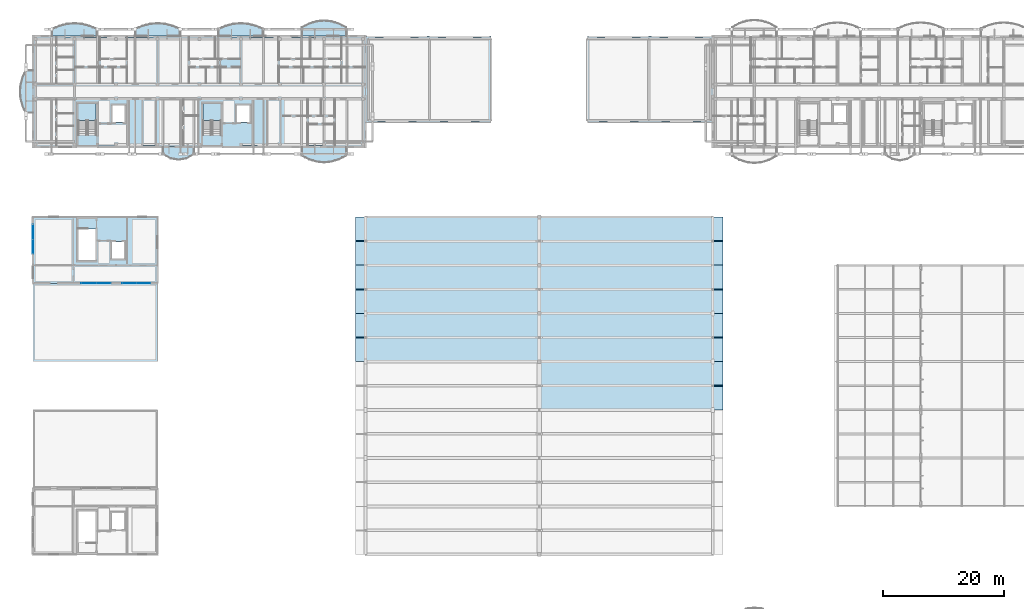
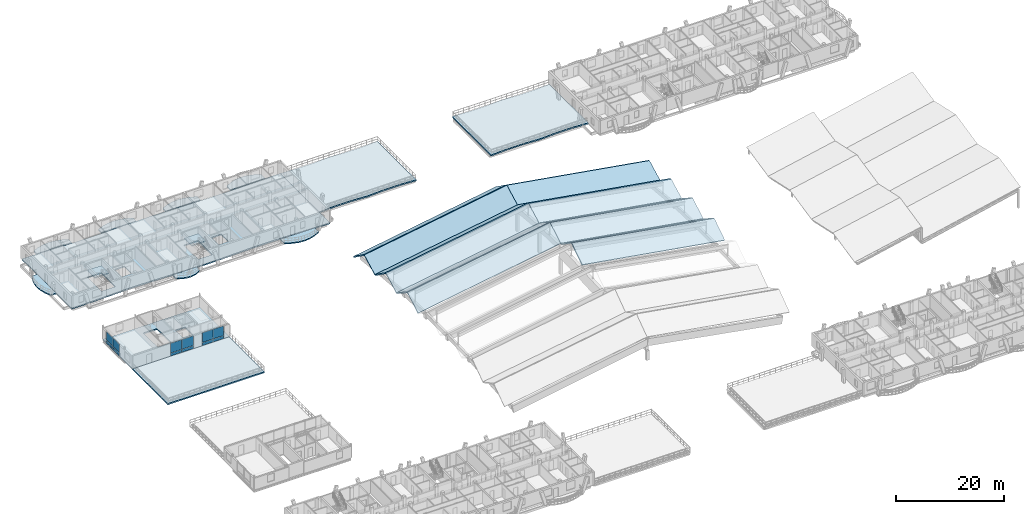
# One storey, part 53 of 109: 28 slabs, 12 plates, 5 elements without a shape of their own.
"""IFC4 building model written with IfcOpenShell, lengths in metres."""

from ifc_helpers import new_model, si_unit, direction, frame, origin, origin_2d, place, context, subcontext, project, spatial, polyline, rectangle, outline, extrude, material, layer, layer_set, type_object, element, aggregate, save


model = new_model("IFC4")

# Units and contexts
model_context = context("Model", 3, precision=1e-05, world=origin(), true_north=direction((0.0, 1.0)))
body_context = subcontext(model_context, "Body", "Model", "MODEL_VIEW")
ifc_project = project(units=[si_unit("LENGTHUNIT", "METRE"), si_unit("AREAUNIT", "SQUARE_METRE"), si_unit("VOLUMEUNIT", "CUBIC_METRE"), si_unit("PLANEANGLEUNIT", "RADIAN"), si_unit("MASSUNIT", "GRAM", prefix="KILO")], contexts=[model_context])

# Site, building, storey
site_placement = place(None, origin())
site = spatial("IfcSite", under=ifc_project, at=site_placement, CompositionType="ELEMENT")
building_placement = place(site_placement, origin())
building = spatial("IfcBuilding", under=site, at=building_placement, Name="Zavelmont Quarter", CompositionType="ELEMENT")
storey_placement = place(building_placement, frame((0.0, 0.0, 8.0)))
storey = spatial("IfcBuildingStorey", under=building, at=storey_placement, Name="L02", CompositionType="ELEMENT", Elevation=8.0)

# Curtain wall, plates
ifc_material_1 = material(Name="Thermally broken aluminium and double low-E safety glazing", Category="aluminium")
curtain_wall_type_1 = type_object("IfcCurtainWallType", Name="CW-470X299", PredefinedType="NOTDEFINED", material=ifc_material_1)
curtain_wall_1_placement = place(storey_placement, origin())
curtain_wall_1 = element("IfcCurtainWall", 1, at=curtain_wall_1_placement, inside=storey, type_object=curtain_wall_type_1, Name="L02 unitised curtain wall CW-470X299", PredefinedType="NOTDEFINED")
ifc_material_2 = material(Name="Insulated anodised-aluminium spandrel panel", Category="aluminium")
ifc_layer_1 = layer(ifc_material_2, 0.0400390625)
ifc_layer_set_1 = layer_set([ifc_layer_1], Name="Insulated anodised-aluminium spandrel panel")
plate_type_1 = type_object("IfcPlateType", Name="CWP-SPD-2260X630", PredefinedType="CURTAIN_PANEL", material=ifc_layer_set_1)
plate_1_placement = place(storey_placement, frame((15.989990234375, 75.0, 0.06005859375), z_axis=(0.0, 0.0, 1.0), x_axis=(1.0, 0.0, 0.0)))
plate_1 = element("IfcPlate", 2, at=plate_1_placement, type_object=plate_type_1, Name="CW-470X299 panel 1.1", PredefinedType="CURTAIN_PANEL", context=body_context, shape_type="SweptSolid", body=[
    extrude(rectangle(XDim=2.260009765625, YDim=0.0400390625, at=origin_2d()), origin(), (0.0, 0.0, 1.0), 0.6279296875),
])
plate_2_placement = place(storey_placement, frame((18.31005859375, 75.0, 0.06005859375), z_axis=(0.0, 0.0, 1.0), x_axis=(1.0, 0.0, 0.0)))
plate_2 = element("IfcPlate", 3, at=plate_2_placement, type_object=plate_type_1, Name="CW-470X299 panel 2.1", PredefinedType="CURTAIN_PANEL", context=body_context, shape_type="SweptSolid", body=[
    extrude(rectangle(XDim=2.260009765625, YDim=0.0400390625, at=origin_2d()), origin(), (0.0, 0.0, 1.0), 0.6279296875),
])

curtain_wall_type_2 = type_object("IfcCurtainWallType", Name="CW-500X262", PredefinedType="NOTDEFINED", material=ifc_material_1)
curtain_wall_2_placement = place(storey_placement, origin())
curtain_wall_2 = element("IfcCurtainWall", 4, at=curtain_wall_2_placement, inside=storey, type_object=curtain_wall_type_2, Name="L02 unitised curtain wall CW-500X262", PredefinedType="NOTDEFINED")
ifc_layer_2 = layer(ifc_material_2, 0.0400390625)
ifc_layer_set_2 = layer_set([ifc_layer_2], Name="Insulated anodised-aluminium spandrel panel")
plate_type_2 = type_object("IfcPlateType", Name="CWP-SPD-2410X540", PredefinedType="CURTAIN_PANEL", material=ifc_layer_set_2)
plate_3_placement = place(storey_placement, frame((0.0, 81.06494140625, 0.06005859375), z_axis=(0.0, 0.0, 1.0), x_axis=(0.0, 1.0, 0.0)))
plate_3 = element("IfcPlate", 5, at=plate_3_placement, type_object=plate_type_2, Name="CW-500X262 panel 1.1", PredefinedType="CURTAIN_PANEL", context=body_context, shape_type="SweptSolid", body=[
    extrude(rectangle(XDim=2.409912109375, YDim=0.0400390625, at=origin_2d()), origin(), (0.0, 0.0, 1.0), 0.5390625),
])
plate_4_placement = place(storey_placement, frame((0.0, 83.534912109375, 0.06005859375), z_axis=(0.0, 0.0, 1.0), x_axis=(0.0, 1.0, 0.0)))
plate_4 = element("IfcPlate", 6, at=plate_4_placement, type_object=plate_type_2, Name="CW-500X262 panel 2.1", PredefinedType="CURTAIN_PANEL", context=body_context, shape_type="SweptSolid", body=[
    extrude(rectangle(XDim=2.409912109375, YDim=0.0400390625, at=origin_2d()), origin(), (0.0, 0.0, 1.0), 0.5390625),
])

curtain_wall_type_3 = type_object("IfcCurtainWallType", Name="CW-500X299", PredefinedType="NOTDEFINED", material=ifc_material_1)
curtain_wall_3_placement = place(storey_placement, origin())
curtain_wall_3 = element("IfcCurtainWall", 7, at=curtain_wall_3_placement, inside=storey, type_object=curtain_wall_type_3, Name="L02 unitised curtain wall CW-500X299", PredefinedType="NOTDEFINED")
ifc_layer_3 = layer(ifc_material_2, 0.0400390625)
ifc_layer_set_3 = layer_set([ifc_layer_3], Name="Insulated anodised-aluminium spandrel panel")
plate_type_3 = type_object("IfcPlateType", Name="CWP-SPD-2410X630", PredefinedType="CURTAIN_PANEL", material=ifc_layer_set_3)
plate_5_placement = place(storey_placement, frame((9.264892578125, 75.0, 0.06005859375), z_axis=(0.0, 0.0, 1.0), x_axis=(1.0, 0.0, 0.0)))
plate_5 = element("IfcPlate", 8, at=plate_5_placement, type_object=plate_type_3, Name="CW-500X299 panel 1.1", PredefinedType="CURTAIN_PANEL", context=body_context, shape_type="SweptSolid", body=[
    extrude(rectangle(XDim=2.409912109375, YDim=0.0400390625, at=origin_2d()), origin(), (0.0, 0.0, 1.0), 0.6279296875),
])
plate_6_placement = place(storey_placement, frame((11.735107421875, 75.0, 0.06005859375), z_axis=(0.0, 0.0, 1.0), x_axis=(1.0, 0.0, 0.0)))
plate_6 = element("IfcPlate", 9, at=plate_6_placement, type_object=plate_type_3, Name="CW-500X299 panel 2.1", PredefinedType="CURTAIN_PANEL", context=body_context, shape_type="SweptSolid", body=[
    extrude(rectangle(XDim=2.409912109375, YDim=0.0400390625, at=origin_2d()), origin(), (0.0, 0.0, 1.0), 0.6279296875),
])

# Plate
ifc_material_3 = material(Name="Double low-E insulated vision glass", Category="glass")
ifc_layer_4 = layer(ifc_material_3, 0.028076171875)
ifc_layer_set_4 = layer_set([ifc_layer_4], Name="Double low-E insulated vision glass")
plate_type_4 = type_object("IfcPlateType", Name="CWP-VIS-2260X2180", PredefinedType="CURTAIN_PANEL", material=ifc_layer_set_4)
plate_7_placement = place(storey_placement, frame((15.989990234375, 75.0, 0.748046875), z_axis=(0.0, 0.0, 1.0), x_axis=(1.0, 0.0, 0.0)))
plate_7 = element("IfcPlate", 10, at=plate_7_placement, type_object=plate_type_4, Name="CW-470X299 panel 1.2", PredefinedType="CURTAIN_PANEL", context=body_context, shape_type="SweptSolid", body=[
    extrude(rectangle(XDim=2.260009765625, YDim=0.028076171875, at=origin_2d()), origin(), (0.0, 0.0, 1.0), 2.181884765625),
])

plate_8_placement = place(storey_placement, frame((18.31005859375, 75.0, 0.748046875), z_axis=(0.0, 0.0, 1.0), x_axis=(1.0, 0.0, 0.0)))
plate_8 = element("IfcPlate", 11, at=plate_8_placement, type_object=plate_type_4, Name="CW-470X299 panel 2.2", PredefinedType="CURTAIN_PANEL", context=body_context, shape_type="SweptSolid", body=[
    extrude(rectangle(XDim=2.260009765625, YDim=0.028076171875, at=origin_2d()), origin(), (0.0, 0.0, 1.0), 2.181884765625),
])

aggregate(curtain_wall_1, [plate_1, plate_7, plate_2, plate_8])

ifc_layer_5 = layer(ifc_material_3, 0.028076171875)
ifc_layer_set_5 = layer_set([ifc_layer_5], Name="Double low-E insulated vision glass")
plate_type_5 = type_object("IfcPlateType", Name="CWP-VIS-2410X1900", PredefinedType="CURTAIN_PANEL", material=ifc_layer_set_5)
plate_9_placement = place(storey_placement, frame((0.0, 81.06494140625, 0.6591796875), z_axis=(0.0, 0.0, 1.0), x_axis=(0.0, 1.0, 0.0)))
plate_9 = element("IfcPlate", 12, at=plate_9_placement, type_object=plate_type_5, Name="CW-500X262 panel 1.2", PredefinedType="CURTAIN_PANEL", context=body_context, shape_type="SweptSolid", body=[
    extrude(rectangle(XDim=2.409912109375, YDim=0.028076171875, at=origin_2d()), origin(), (0.0, 0.0, 1.0), 1.90087890625),
])

plate_10_placement = place(storey_placement, frame((0.0, 83.534912109375, 0.6591796875), z_axis=(0.0, 0.0, 1.0), x_axis=(0.0, 1.0, 0.0)))
plate_10 = element("IfcPlate", 13, at=plate_10_placement, type_object=plate_type_5, Name="CW-500X262 panel 2.2", PredefinedType="CURTAIN_PANEL", context=body_context, shape_type="SweptSolid", body=[
    extrude(rectangle(XDim=2.409912109375, YDim=0.028076171875, at=origin_2d()), origin(), (0.0, 0.0, 1.0), 1.90087890625),
])

aggregate(curtain_wall_2, [plate_3, plate_9, plate_4, plate_10])

ifc_layer_6 = layer(ifc_material_3, 0.028076171875)
ifc_layer_set_6 = layer_set([ifc_layer_6], Name="Double low-E insulated vision glass")
plate_type_6 = type_object("IfcPlateType", Name="CWP-VIS-2410X2180", PredefinedType="CURTAIN_PANEL", material=ifc_layer_set_6)
plate_11_placement = place(storey_placement, frame((9.264892578125, 75.0, 0.748046875), z_axis=(0.0, 0.0, 1.0), x_axis=(1.0, 0.0, 0.0)))
plate_11 = element("IfcPlate", 14, at=plate_11_placement, type_object=plate_type_6, Name="CW-500X299 panel 1.2", PredefinedType="CURTAIN_PANEL", context=body_context, shape_type="SweptSolid", body=[
    extrude(rectangle(XDim=2.409912109375, YDim=0.028076171875, at=origin_2d()), origin(), (0.0, 0.0, 1.0), 2.181884765625),
])

plate_12_placement = place(storey_placement, frame((11.735107421875, 75.0, 0.748046875), z_axis=(0.0, 0.0, 1.0), x_axis=(1.0, 0.0, 0.0)))
plate_12 = element("IfcPlate", 15, at=plate_12_placement, type_object=plate_type_6, Name="CW-500X299 panel 2.2", PredefinedType="CURTAIN_PANEL", context=body_context, shape_type="SweptSolid", body=[
    extrude(rectangle(XDim=2.409912109375, YDim=0.028076171875, at=origin_2d()), origin(), (0.0, 0.0, 1.0), 2.181884765625),
])

aggregate(curtain_wall_3, [plate_5, plate_11, plate_6, plate_12])

# Slabs
ifc_material_4 = material(Name="Concrete C40/50", Category="concrete")
ifc_layer_7 = layer(ifc_material_4, 0.2451171875)
ifc_layer_set_7 = layer_set([ifc_layer_7], Name="Concrete C40/50")
slab_type_1 = type_object("IfcSlabType", Name="RF15", PredefinedType="ROOF", material=ifc_layer_set_7)
slab_1_placement = place(storey_placement, frame((84.0, 54.0, 6.85009765625), z_axis=(0.138453795712, -0.543377919728, 0.827992139338), x_axis=(0.98630587097, 0.0, -0.164926434783)))
element("IfcSlab", 16, at=slab_1_placement, inside=storey, type_object=slab_type_1, Name="Community Hall folded-plate roof RF15", PredefinedType="ROOF", context=body_context, shape_type="SweptSolid", body=[
    extrude(outline(polyline([(0.0, 0.0), (30.92346998807357, 0.0), (30.500282285542166, 4.6574950234882255), (-0.4231877025314027, 4.6574950234882255), (0.0, 0.0)])), origin(), (0.0, 0.0, -1.0), 0.2451171875),
])
ifc_layer_8 = layer(ifc_material_4, 0.2451171875)
ifc_layer_set_8 = layer_set([ifc_layer_8], Name="Concrete C40/50")
slab_type_2 = type_object("IfcSlabType", Name="RF16", PredefinedType="ROOF", material=ifc_layer_set_8)
slab_2_placement = place(storey_placement, frame((84.0, 58.090087890625, 9.416015625), z_axis=(0.138453795712, 0.543377919728, 0.827992139338), x_axis=(0.98630587097, 0.0, -0.164926434783)))
element("IfcSlab", 17, at=slab_2_placement, inside=storey, type_object=slab_type_2, Name="Community Hall folded-plate roof RF16", PredefinedType="ROOF", context=body_context, shape_type="SweptSolid", body=[
    extrude(outline(polyline([(0.0, 0.0), (30.92346998807357, 0.0), (31.34665769060497, 4.6574950234882255), (0.4231877025314027, 4.6574950234882255), (0.0, 0.0)])), origin(), (0.0, 0.0, -1.0), 0.2451171875),
])
ifc_layer_9 = layer(ifc_material_4, 0.2451171875)
ifc_layer_set_9 = layer_set([ifc_layer_9], Name="Concrete C40/50")
slab_type_3 = type_object("IfcSlabType", Name="RF17", PredefinedType="ROOF", material=ifc_layer_set_9)
slab_3_placement = place(storey_placement, frame((53.5, 62.0, 1.75), z_axis=(-0.142310180399, -0.505424808475, 0.851054390467), x_axis=(0.98630587097, 0.0, 0.164926434783)))
element("IfcSlab", 18, at=slab_3_placement, inside=storey, type_object=slab_type_3, Name="Community Hall folded-plate roof RF17", PredefinedType="ROOF", context=body_context, shape_type="SweptSolid", body=[
    extrude(outline(polyline([(0.0, 0.0), (30.92346998807357, 0.0), (31.306432712980914, 4.5312841478181305), (0.3829627249073427, 4.531284147818131), (0.0, 0.0)])), origin(), (0.0, 0.0, -1.0), 0.2451171875),
])
ifc_layer_10 = layer(ifc_material_4, 0.2451171875)
ifc_layer_set_10 = layer_set([ifc_layer_10], Name="Concrete C40/50")
slab_type_4 = type_object("IfcSlabType", Name="RF18", PredefinedType="ROOF", material=ifc_layer_set_10)
slab_4_placement = place(storey_placement, frame((53.5, 66.090087890625, 4.06591796875), z_axis=(-0.138453795712, 0.543377919728, 0.827992139338), x_axis=(0.98630587097, 0.0, 0.164926434783)))
element("IfcSlab", 19, at=slab_4_placement, inside=storey, type_object=slab_type_4, Name="Community Hall folded-plate roof RF18", PredefinedType="ROOF", context=body_context, shape_type="SweptSolid", body=[
    extrude(outline(polyline([(0.0, 0.0), (30.92346998807357, 0.0), (30.500282285542166, 4.6574950234882255), (-0.4231877025314027, 4.6574950234882255), (0.0, 0.0)])), origin(), (0.0, 0.0, -1.0), 0.2451171875),
])
ifc_layer_11 = layer(ifc_material_4, 0.2451171875)
ifc_layer_set_11 = layer_set([ifc_layer_11], Name="Concrete C40/50")
slab_type_5 = type_object("IfcSlabType", Name="RF19", PredefinedType="ROOF", material=ifc_layer_set_11)
slab_5_placement = place(storey_placement, frame((84.0, 62.0, 6.85009765625), z_axis=(0.142310180399, -0.505424808475, 0.851054390467), x_axis=(0.98630587097, 0.0, -0.164926434783)))
element("IfcSlab", 20, at=slab_5_placement, inside=storey, type_object=slab_type_5, Name="Community Hall folded-plate roof RF19", PredefinedType="ROOF", context=body_context, shape_type="SweptSolid", body=[
    extrude(outline(polyline([(0.0, 0.0), (30.92346998807357, 0.0), (30.540507263166226, 4.5312841478181305), (-0.3829627249073427, 4.531284147818131), (0.0, 0.0)])), origin(), (0.0, 0.0, -1.0), 0.2451171875),
])
ifc_layer_12 = layer(ifc_material_4, 0.2451171875)
ifc_layer_set_12 = layer_set([ifc_layer_12], Name="Concrete C40/50")
slab_type_6 = type_object("IfcSlabType", Name="RF20", PredefinedType="ROOF", material=ifc_layer_set_12)
slab_6_placement = place(storey_placement, frame((84.0, 66.090087890625, 9.166015625), z_axis=(0.138453795712, 0.543377919728, 0.827992139338), x_axis=(0.98630587097, 0.0, -0.164926434783)))
element("IfcSlab", 21, at=slab_6_placement, inside=storey, type_object=slab_type_6, Name="Community Hall folded-plate roof RF20", PredefinedType="ROOF", context=body_context, shape_type="SweptSolid", body=[
    extrude(outline(polyline([(0.0, 0.0), (30.92346998807357, 0.0), (31.34665769060497, 4.6574950234882255), (0.4231877025314027, 4.6574950234882255), (0.0, 0.0)])), origin(), (0.0, 0.0, -1.0), 0.2451171875),
])
ifc_layer_13 = layer(ifc_material_4, 0.2451171875)
ifc_layer_set_13 = layer_set([ifc_layer_13], Name="Concrete C40/50")
slab_type_7 = type_object("IfcSlabType", Name="RF21", PredefinedType="ROOF", material=ifc_layer_set_13)
slab_7_placement = place(storey_placement, frame((53.5, 70.0, 1.5), z_axis=(-0.146090682855, -0.464080538285, 0.873662844791), x_axis=(0.98630587097, 0.0, 0.164926434783)))
element("IfcSlab", 22, at=slab_7_placement, inside=storey, type_object=slab_type_7, Name="Community Hall folded-plate roof RF21", PredefinedType="ROOF", context=body_context, shape_type="SweptSolid", body=[
    extrude(outline(polyline([(0.0, 0.0), (30.92346998807357, 0.0), (31.26600640914252, 4.414024576467193), (0.34253642106894794, 4.414024576467193), (0.0, 0.0)])), origin(), (0.0, 0.0, -1.0), 0.2451171875),
])
ifc_layer_14 = layer(ifc_material_4, 0.2451171875)
ifc_layer_set_14 = layer_set([ifc_layer_14], Name="Concrete C40/50")
slab_type_8 = type_object("IfcSlabType", Name="RF22", PredefinedType="ROOF", material=ifc_layer_set_14)
slab_8_placement = place(storey_placement, frame((53.5, 74.090087890625, 3.56005859375), z_axis=(-0.134549416956, 0.578286530347, 0.80466212985), x_axis=(0.986306727825, 1.836873e-06, 0.164921310457)))
element("IfcSlab", 23, at=slab_8_placement, inside=storey, type_object=slab_type_8, Name="Community Hall folded-plate roof RF22", PredefinedType="ROOF", context=body_context, shape_type="SweptSolid", body=[
    extrude(outline(polyline([(0.0, 0.0), (30.923429723612234, -4.440892098500626e-16), (30.46003862387165, 4.792466864054502), (-0.463431363732392, 4.7926061140893275), (0.0, 0.0)])), origin(), (0.0, 0.0, -1.0), 0.2451171875),
])
ifc_layer_15 = layer(ifc_material_4, 0.2451171875)
ifc_layer_set_15 = layer_set([ifc_layer_15], Name="Concrete C40/50")
slab_type_9 = type_object("IfcSlabType", Name="RF23", PredefinedType="ROOF", material=ifc_layer_set_15)
slab_9_placement = place(storey_placement, frame((84.0, 70.0, 6.60009765625), z_axis=(0.146090682855, -0.464080538285, 0.873662844791), x_axis=(0.98630587097, 0.0, -0.164926434783)))
element("IfcSlab", 24, at=slab_9_placement, inside=storey, type_object=slab_type_9, Name="Community Hall folded-plate roof RF23", PredefinedType="ROOF", context=body_context, shape_type="SweptSolid", body=[
    extrude(outline(polyline([(0.0, 0.0), (30.92346998807357, 0.0), (30.58093356700462, 4.4140245764671935), (-0.34253642106894794, 4.414024576467193), (0.0, 0.0)])), origin(), (0.0, 0.0, -1.0), 0.2451171875),
])
ifc_layer_16 = layer(ifc_material_4, 0.2451171875)
ifc_layer_set_16 = layer_set([ifc_layer_16], Name="Concrete C40/50")
slab_type_10 = type_object("IfcSlabType", Name="RF24", PredefinedType="ROOF", material=ifc_layer_set_16)
slab_10_placement = place(storey_placement, frame((84.0, 74.090087890625, 8.659912109375), z_axis=(0.134549416956, 0.578286530347, 0.80466212985), x_axis=(0.986306727825, -1.836873e-06, -0.164921310457)))
element("IfcSlab", 25, at=slab_10_placement, inside=storey, type_object=slab_type_10, Name="Community Hall folded-plate roof RF24", PredefinedType="ROOF", context=body_context, shape_type="SweptSolid", body=[
    extrude(outline(polyline([(0.0, 0.0), (30.923429723612234, 4.440892098500626e-16), (31.386861087344627, 4.7926061140893275), (0.4633910997405811, 4.792466864054502), (0.0, 0.0)])), origin(), (0.0, 0.0, -1.0), 0.2451171875),
])
ifc_layer_17 = layer(ifc_material_4, 0.2451171875)
ifc_layer_set_17 = layer_set([ifc_layer_17], Name="Concrete C40/50")
slab_type_11 = type_object("IfcSlabType", Name="RF25", PredefinedType="ROOF", material=ifc_layer_set_17)
slab_11_placement = place(storey_placement, frame((53.5, 78.0, 0.75), z_axis=(-0.146090682855, -0.464080538285, 0.873662844791), x_axis=(0.98630587097, 0.0, 0.164926434783)))
element("IfcSlab", 26, at=slab_11_placement, inside=storey, type_object=slab_type_11, Name="Community Hall folded-plate roof RF25", PredefinedType="ROOF", context=body_context, shape_type="SweptSolid", body=[
    extrude(outline(polyline([(0.0, 0.0), (30.92346998807357, 0.0), (31.26600640914252, 4.414024576467193), (0.34253642106894794, 4.414024576467193), (0.0, 0.0)])), origin(), (0.0, 0.0, -1.0), 0.2451171875),
])
ifc_layer_18 = layer(ifc_material_4, 0.2451171875)
ifc_layer_set_18 = layer_set([ifc_layer_18], Name="Concrete C40/50")
slab_type_12 = type_object("IfcSlabType", Name="RF26", PredefinedType="ROOF", material=ifc_layer_set_18)
slab_12_placement = place(storey_placement, frame((53.5, 82.090087890625, 2.81005859375), z_axis=(-0.134549416956, 0.578286530347, 0.80466212985), x_axis=(0.986306727825, 1.836873e-06, 0.164921310457)))
element("IfcSlab", 27, at=slab_12_placement, inside=storey, type_object=slab_type_12, Name="Community Hall folded-plate roof RF26", PredefinedType="ROOF", context=body_context, shape_type="SweptSolid", body=[
    extrude(outline(polyline([(0.0, 0.0), (30.923429723612234, -4.440892098500626e-16), (30.46003862387165, 4.792466864054502), (-0.463431363732392, 4.7926061140893275), (0.0, 0.0)])), origin(), (0.0, 0.0, -1.0), 0.2451171875),
])
ifc_layer_19 = layer(ifc_material_4, 0.2451171875)
ifc_layer_set_19 = layer_set([ifc_layer_19], Name="Concrete C40/50")
slab_type_13 = type_object("IfcSlabType", Name="RF27", PredefinedType="ROOF", material=ifc_layer_set_19)
slab_13_placement = place(storey_placement, frame((84.0, 78.0, 5.85009765625), z_axis=(0.146090682855, -0.464080538285, 0.873662844791), x_axis=(0.98630587097, 0.0, -0.164926434783)))
element("IfcSlab", 28, at=slab_13_placement, inside=storey, type_object=slab_type_13, Name="Community Hall folded-plate roof RF27", PredefinedType="ROOF", context=body_context, shape_type="SweptSolid", body=[
    extrude(outline(polyline([(0.0, 0.0), (30.92346998807357, 0.0), (30.58093356700462, 4.4140245764671935), (-0.34253642106894794, 4.414024576467193), (0.0, 0.0)])), origin(), (0.0, 0.0, -1.0), 0.2451171875),
])
ifc_layer_20 = layer(ifc_material_4, 0.2451171875)
ifc_layer_set_20 = layer_set([ifc_layer_20], Name="Concrete C40/50")
slab_type_14 = type_object("IfcSlabType", Name="RF28", PredefinedType="ROOF", material=ifc_layer_set_20)
slab_14_placement = place(storey_placement, frame((84.0, 82.090087890625, 7.909912109375), z_axis=(0.134549416956, 0.578286530347, 0.80466212985), x_axis=(0.986306727825, -1.836873e-06, -0.164921310457)))
element("IfcSlab", 29, at=slab_14_placement, inside=storey, type_object=slab_type_14, Name="Community Hall folded-plate roof RF28", PredefinedType="ROOF", context=body_context, shape_type="SweptSolid", body=[
    extrude(outline(polyline([(0.0, 0.0), (30.923429723612234, 4.440892098500626e-16), (31.386861087344627, 4.7926061140893275), (0.4633910997405811, 4.792466864054502), (0.0, 0.0)])), origin(), (0.0, 0.0, -1.0), 0.2451171875),
])
ifc_material_5 = material(Name="White architectural precast concrete C40/50", Category="concrete")
ifc_layer_21 = layer(ifc_material_5, 0.235107421875)
ifc_layer_set_21 = layer_set([ifc_layer_21], Name="White architectural precast concrete C40/50")
slab_type_15 = type_object("IfcSlabType", Name="SL-BL180", PredefinedType="FLOOR", material=ifc_layer_set_21)
slab_15_placement = place(storey_placement, frame((0.0, 0.0, -0.235107421875)))
element("IfcSlab", 30, at=slab_15_placement, inside=storey, type_object=slab_type_15, Name="L02 Block B street vase 3 balcony SL-BL180", PredefinedType="FLOOR", context=body_context, shape_type="SweptSolid", body=[
    extrude(outline(polyline([(38.1962890625, 116.02001953125), (38.1962890625, 117.1865234375), (36.964111328125, 117.70458984375), (35.732177734375, 118.015380859375), (34.5, 118.118896484375), (33.267822265625, 118.015380859375), (32.035888671875, 117.70458984375), (30.8037109375, 117.1865234375), (30.8037109375, 116.02001953125), (38.1962890625, 116.02001953125)])), origin(), (0.0, 0.0, 1.0), 0.235107421875),
])
slab_16_placement = place(storey_placement, frame((0.0, 0.0, -0.235107421875)))
element("IfcSlab", 31, at=slab_16_placement, inside=storey, type_object=slab_type_15, Name="L02 Block B courtyard outer vase balcony SL-BL180", PredefinedType="FLOOR", context=body_context, shape_type="SweptSolid", body=[
    extrude(outline(polyline([(44.625732421875, 97.580078125), (44.625732421875, 96.165283203125), (45.8505859375, 95.5390625), (47.0751953125, 95.163330078125), (48.300048828125, 95.0380859375), (49.52490234375, 95.163330078125), (50.74951171875, 95.5390625), (51.974365234375, 96.165283203125), (51.974365234375, 97.580078125), (44.625732421875, 97.580078125)])), origin(), (0.0, 0.0, 1.0), 0.235107421875),
])
ifc_layer_22 = layer(ifc_material_5, 0.2451171875)
ifc_layer_set_22 = layer_set([ifc_layer_22], Name="White architectural precast concrete C40/50")
slab_type_16 = type_object("IfcSlabType", Name="SL-BL200", PredefinedType="FLOOR", material=ifc_layer_set_22)
slab_17_placement = place(storey_placement, frame((0.0, 0.0, -0.2451171875)))
element("IfcSlab", 32, at=slab_17_placement, inside=storey, type_object=slab_type_16, Name="L02 Block B street vase 2 balcony SL-BL200", PredefinedType="FLOOR", context=body_context, shape_type="SweptSolid", body=[
    extrude(outline(polyline([(24.396240234375, 116.02001953125), (24.396240234375, 117.1865234375), (23.1640625, 117.70458984375), (21.93212890625, 118.015380859375), (20.699951171875, 118.118896484375), (19.468017578125, 118.015380859375), (18.23583984375, 117.70458984375), (17.00390625, 117.1865234375), (17.00390625, 116.02001953125), (24.396240234375, 116.02001953125)])), origin(), (0.0, 0.0, 1.0), 0.2451171875),
])
slab_18_placement = place(storey_placement, frame((0.0, 0.0, -0.2451171875)))
element("IfcSlab", 33, at=slab_18_placement, inside=storey, type_object=slab_type_16, Name="L02 Block B boulevard vase balcony SL-BL200", PredefinedType="FLOOR", context=body_context, shape_type="SweptSolid", body=[
    extrude(outline(polyline([(-0.02001953125, 110.317626953125), (-1.1865234375, 110.317626953125), (-1.70458984375, 109.14501953125), (-2.015380859375, 107.972412109375), (-2.118896484375, 106.800048828125), (-2.015380859375, 105.62744140625), (-1.70458984375, 104.454833984375), (-1.1865234375, 103.282470703125), (-0.02001953125, 103.282470703125), (-0.02001953125, 110.317626953125)])), origin(), (0.0, 0.0, 1.0), 0.2451171875),
])
ifc_layer_23 = layer(ifc_material_5, 0.2548828125)
ifc_layer_set_23 = layer_set([ifc_layer_23], Name="White architectural precast concrete C40/50")
slab_type_17 = type_object("IfcSlabType", Name="SL-BL220", PredefinedType="FLOOR", material=ifc_layer_set_23)
slab_19_placement = place(storey_placement, frame((0.0, 0.0, -0.2548828125)))
element("IfcSlab", 34, at=slab_19_placement, inside=storey, type_object=slab_type_17, Name="L02 Block B street vase 1 balcony SL-BL220", PredefinedType="FLOOR", context=body_context, shape_type="SweptSolid", body=[
    extrude(outline(polyline([(10.59619140625, 116.02001953125), (10.59619140625, 117.1865234375), (9.364013671875, 117.70458984375), (8.132080078125, 118.015380859375), (6.89990234375, 118.118896484375), (5.66796875, 118.015380859375), (4.435791015625, 117.70458984375), (3.203857421875, 117.1865234375), (3.203857421875, 116.02001953125), (10.59619140625, 116.02001953125)])), origin(), (0.0, 0.0, 1.0), 0.2548828125),
])
slab_20_placement = place(storey_placement, frame((0.0, 0.0, -0.2548828125)))
element("IfcSlab", 35, at=slab_20_placement, inside=storey, type_object=slab_type_17, Name="L02 Block B street vase 4 balcony SL-BL220", PredefinedType="FLOOR", context=body_context, shape_type="SweptSolid", body=[
    extrude(outline(polyline([(51.974365234375, 116.02001953125), (51.974365234375, 117.434814453125), (50.74951171875, 118.06103515625), (49.52490234375, 118.436767578125), (48.300048828125, 118.56201171875), (47.0751953125, 118.436767578125), (45.8505859375, 118.06103515625), (44.625732421875, 117.434814453125), (44.625732421875, 116.02001953125), (51.974365234375, 116.02001953125)])), origin(), (0.0, 0.0, 1.0), 0.2548828125),
])
slab_21_placement = place(storey_placement, frame((0.0, 0.0, -0.2548828125)))
element("IfcSlab", 36, at=slab_21_placement, inside=storey, type_object=slab_type_17, Name="L02 Block B courtyard central vase balcony SL-BL220", PredefinedType="FLOOR", context=body_context, shape_type="SweptSolid", body=[
    extrude(outline(polyline([(21.572509765625, 97.580078125), (21.572509765625, 96.413330078125), (22.861083984375, 95.714111328125), (24.14990234375, 95.48095703125), (25.438720703125, 95.714111328125), (26.7275390625, 96.413330078125), (26.7275390625, 97.580078125), (21.572509765625, 97.580078125)])), origin(), (0.0, 0.0, 1.0), 0.2548828125),
])
ifc_material_6 = material(Name="Concrete C35/45", Category="concrete")
ifc_layer_24 = layer(ifc_material_6, 0.27001953125)
ifc_layer_set_24 = layer_set([ifc_layer_24], Name="Concrete C35/45")
slab_type_18 = type_object("IfcSlabType", Name="SL-FL270", PredefinedType="FLOOR", material=ifc_layer_set_24)
slab_22_placement = place(storey_placement, frame((0.0, 0.0, -0.27001953125)))
element("IfcSlab", 37, at=slab_22_placement, inside=storey, type_object=slab_type_18, Name="L02 Block B floor slab SL-FL270", PredefinedType="FLOOR", context=body_context, shape_type="SweptSolid", body=[
    extrude(outline(polyline([(0.0, 97.60009765625), (3.449951171875, 97.64111328125), (6.89990234375, 97.739990234375), (10.35009765625, 97.839111328125), (13.800048828125, 97.8798828125), (17.25, 97.839111328125), (20.699951171875, 97.739990234375), (24.14990234375, 97.64111328125), (27.60009765625, 97.60009765625), (31.050048828125, 97.64111328125), (34.5, 97.739990234375), (37.949951171875, 97.839111328125), (41.39990234375, 97.8798828125), (44.85009765625, 97.839111328125), (48.300048828125, 97.739990234375), (51.75, 97.64111328125), (55.199951171875, 97.60009765625), (55.199951171875, 101.280029296875), (55.199951171875, 104.9599609375), (55.199951171875, 108.639892578125), (55.199951171875, 112.320068359375), (55.199951171875, 116.0), (51.75, 115.958984375), (48.300048828125, 115.860107421875), (44.85009765625, 115.760986328125), (41.39990234375, 115.719970703125), (37.949951171875, 115.760986328125), (34.5, 115.860107421875), (31.050048828125, 115.958984375), (27.60009765625, 116.0), (24.14990234375, 115.958984375), (20.699951171875, 115.860107421875), (17.25, 115.760986328125), (13.800048828125, 115.719970703125), (10.35009765625, 115.760986328125), (6.89990234375, 115.860107421875), (3.449951171875, 115.958984375), (0.0, 116.0), (0.0, 112.320068359375), (0.0, 108.639892578125), (0.0, 104.9599609375), (0.0, 101.280029296875), (0.0, 97.60009765625)]), holes=[polyline([(10.5, 99.574951171875), (10.5, 104.800048828125), (7.5, 104.800048828125), (7.5, 99.574951171875), (10.5, 99.574951171875)]), polyline([(13.14990234375, 101.75), (15.25, 101.75), (15.25, 104.5), (13.14990234375, 104.5), (13.14990234375, 101.75)]), polyline([(31.199951171875, 99.574951171875), (31.199951171875, 104.800048828125), (28.199951171875, 104.800048828125), (28.199951171875, 99.574951171875), (31.199951171875, 99.574951171875)]), polyline([(33.85009765625, 101.75), (35.949951171875, 101.75), (35.949951171875, 104.5), (33.85009765625, 104.5), (33.85009765625, 101.75)])]), origin(), (0.0, 0.0, 1.0), 0.27001953125),
])
slab_23_placement = place(storey_placement, frame((0.0, 0.0, -0.27001953125)))
element("IfcSlab", 38, at=slab_23_placement, inside=storey, type_object=slab_type_18, Name="L02 North Garden Study floor slab SL-FL270", PredefinedType="FLOOR", context=body_context, shape_type="SweptSolid", body=[
    extrude(outline(polyline([(0.0, 75.0), (20.699951171875, 75.0), (20.699951171875, 86.0), (0.0, 86.0), (0.0, 75.0)]), holes=[polyline([(7.5, 84.02490234375), (7.5, 78.800048828125), (10.39990234375, 78.800048828125), (10.39990234375, 84.02490234375), (7.5, 84.02490234375)]), polyline([(13.050048828125, 79.10009765625), (15.14990234375, 79.10009765625), (15.14990234375, 81.85009765625), (13.050048828125, 81.85009765625), (13.050048828125, 79.10009765625)])]), origin(), (0.0, 0.0, 1.0), 0.27001953125),
])

# Stair, slab
stair_type = type_object("IfcStairType", Name="STR-1400-1778", PredefinedType="HALF_TURN_STAIR", material=ifc_material_6)
stair_1_placement = place(storey_placement, origin())
stair_1 = element("IfcStair", 39, at=stair_1_placement, inside=storey, type_object=stair_type, Name="L02 protected stair ST03", PredefinedType="HALF_TURN_STAIR")
ifc_layer_25 = layer(ifc_material_6, 0.199951171875)
ifc_layer_set_25 = layer_set([ifc_layer_25], Name="Concrete C35/45")
slab_type_19 = type_object("IfcSlabType", Name="SL-LND200", PredefinedType="LANDING", material=ifc_layer_set_25)
slab_24_placement = place(storey_placement, frame((0.0, 0.0, 1.39990234375)))
slab_24 = element("IfcSlab", 40, at=slab_24_placement, type_object=slab_type_19, Name="ST03 landing 1", PredefinedType="LANDING", context=body_context, shape_type="SweptSolid", body=[
    extrude(outline(polyline([(10.5, 102.030029296875), (10.5, 104.800048828125), (7.5, 104.800048828125), (7.5, 102.030029296875), (10.5, 102.030029296875)])), origin(), (0.0, 0.0, 1.0), 0.2001953125),
])
aggregate(stair_1, [slab_24])

stair_2_placement = place(storey_placement, origin())
stair_2 = element("IfcStair", 41, at=stair_2_placement, inside=storey, type_object=stair_type, Name="L02 protected stair ST04", PredefinedType="HALF_TURN_STAIR")
slab_25_placement = place(storey_placement, frame((0.0, 0.0, 1.39990234375)))
slab_25 = element("IfcSlab", 42, at=slab_25_placement, type_object=slab_type_19, Name="ST04 landing 1", PredefinedType="LANDING", context=body_context, shape_type="SweptSolid", body=[
    extrude(outline(polyline([(31.199951171875, 102.030029296875), (31.199951171875, 104.800048828125), (28.199951171875, 104.800048828125), (28.199951171875, 102.030029296875), (31.199951171875, 102.030029296875)])), origin(), (0.0, 0.0, 1.0), 0.2001953125),
])
aggregate(stair_2, [slab_25])

# Slabs
ifc_layer_26 = layer(ifc_material_6, 0.2900390625)
ifc_layer_set_26 = layer_set([ifc_layer_26], Name="Concrete C35/45")
slab_type_20 = type_object("IfcSlabType", Name="SL-TR290", PredefinedType="FLOOR", material=ifc_layer_set_26)
slab_26_placement = place(storey_placement, frame((0.0, 0.0, -0.2900390625)))
element("IfcSlab", 43, at=slab_26_placement, inside=storey, type_object=slab_type_20, Name="L02 North-West Street Arcade Wing L02 planted roof garden SL-TR290", PredefinedType="FLOOR", context=body_context, shape_type="SweptSolid", body=[
    extrude(outline(polyline([(55.199951171875, 101.60009765625), (58.666748046875, 101.81005859375), (62.13330078125, 101.81005859375), (65.60009765625, 101.60009765625), (69.066650390625, 101.81005859375), (72.533203125, 101.81005859375), (76.0, 101.60009765625), (76.0, 105.199951171875), (76.0, 108.800048828125), (76.0, 112.39990234375), (76.0, 116.0), (72.533203125, 115.7900390625), (69.066650390625, 115.7900390625), (65.60009765625, 116.0), (62.13330078125, 115.7900390625), (58.666748046875, 115.7900390625), (55.199951171875, 116.0), (55.199951171875, 112.39990234375), (55.199951171875, 108.800048828125), (55.199951171875, 105.199951171875), (55.199951171875, 101.60009765625)])), origin(), (0.0, 0.0, 1.0), 0.2900390625),
])
slab_27_placement = place(storey_placement, frame((0.0, 0.0, -0.2900390625)))
element("IfcSlab", 44, at=slab_27_placement, inside=storey, type_object=slab_type_20, Name="L02 North-East Street Arcade Wing L02 planted roof garden SL-TR290", PredefinedType="FLOOR", context=body_context, shape_type="SweptSolid", body=[
    extrude(outline(polyline([(92.0, 101.60009765625), (95.466796875, 101.81005859375), (98.933349609375, 101.81005859375), (102.39990234375, 101.60009765625), (105.86669921875, 101.81005859375), (109.333251953125, 101.81005859375), (112.800048828125, 101.60009765625), (112.800048828125, 105.199951171875), (112.800048828125, 108.800048828125), (112.800048828125, 112.39990234375), (112.800048828125, 116.0), (109.333251953125, 115.7900390625), (105.86669921875, 115.7900390625), (102.39990234375, 116.0), (98.933349609375, 115.7900390625), (95.466796875, 115.7900390625), (92.0, 116.0), (92.0, 112.39990234375), (92.0, 108.800048828125), (92.0, 105.199951171875), (92.0, 101.60009765625)])), origin(), (0.0, 0.0, 1.0), 0.2900390625),
])
slab_28_placement = place(storey_placement, frame((0.0, 0.0, -0.2900390625)))
element("IfcSlab", 45, at=slab_28_placement, inside=storey, type_object=slab_type_20, Name="L02 North Planted Roof Garden slab SL-TR290", PredefinedType="FLOOR", context=body_context, shape_type="SweptSolid", body=[
    extrude(outline(polyline([(0.0, 62.0), (20.699951171875, 62.0), (20.699951171875, 75.0), (0.0, 75.0), (0.0, 62.0)])), origin(), (0.0, 0.0, 1.0), 0.2900390625),
])

save(model, "model.ifc")
